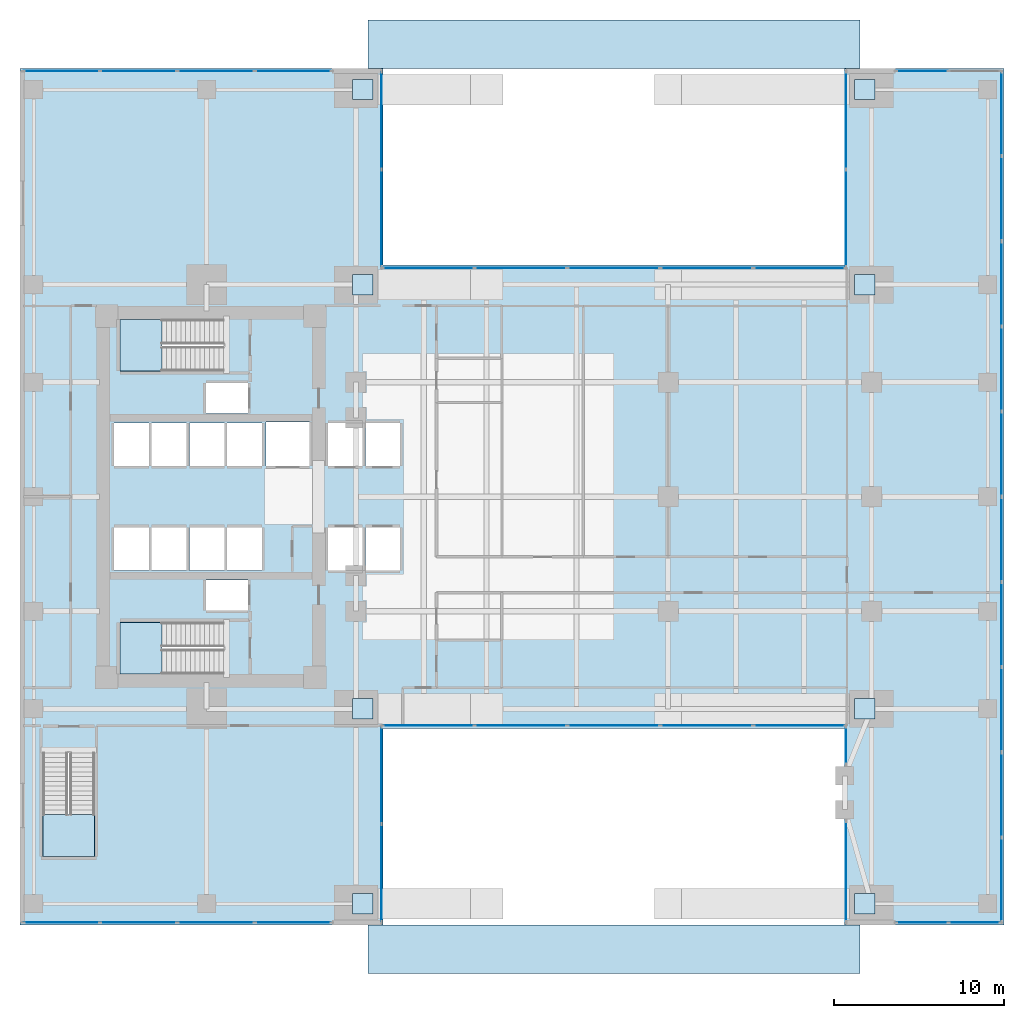
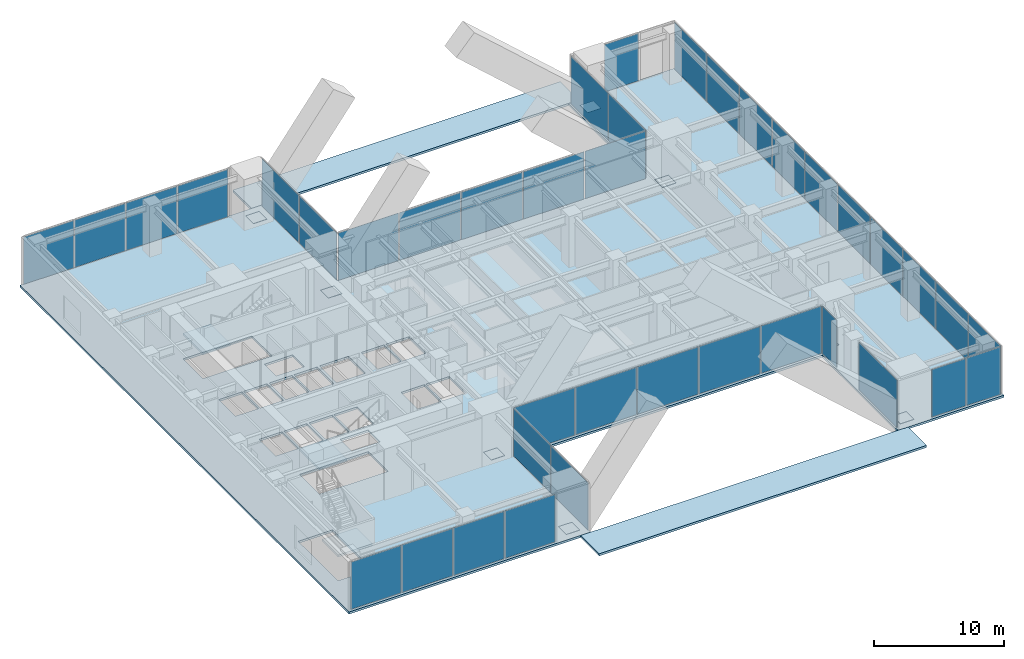
# One storey, part 7 of 13: 47 plates, 6 slabs, 15 elements without a shape of their own.
"""IFC4 building model written with IfcOpenShell, lengths in metres."""

from ifc_helpers import new_model, si_unit, direction, frame, origin, origin_2d, place, context, subcontext, project, spatial, polyline, rectangle, outline, extrude, material, layer, layer_set, type_object, element, aggregate, save


model = new_model("IFC4")

# Units and contexts
model_context = context("Model", 3, precision=1e-05, world=origin(), true_north=direction((0.0, 1.0)))
body_context = subcontext(model_context, "Body", "Model", "MODEL_VIEW")
ifc_project = project(units=[si_unit("LENGTHUNIT", "METRE"), si_unit("AREAUNIT", "SQUARE_METRE"), si_unit("VOLUMEUNIT", "CUBIC_METRE"), si_unit("PLANEANGLEUNIT", "RADIAN"), si_unit("MASSUNIT", "GRAM", prefix="KILO")], contexts=[model_context])

# Site, building, storey
site_placement = place(None, origin())
site = spatial("IfcSite", under=ifc_project, at=site_placement, CompositionType="ELEMENT")
building_placement = place(site_placement, origin())
building = spatial("IfcBuilding", under=site, at=building_placement, Name="Kinhvarn Gate Tower", CompositionType="ELEMENT")
storey_placement = place(building_placement, frame((0.0, 0.0, 6.0)))
storey = spatial("IfcBuildingStorey", under=building, at=storey_placement, Name="L01", CompositionType="ELEMENT", Elevation=6.0)

# Curtain wall, plates
ifc_material_1 = material(Name="Anodised aluminium AW-6063", Category="aluminium")
ifc_layer_1 = layer(ifc_material_1, 0.219970703125)
ifc_layer_set_1 = layer_set([ifc_layer_1], Name="Anodised aluminium AW-6063")
curtain_wall_type = type_object("IfcCurtainWallType", Name="CW-SYS-1", PredefinedType="NOTDEFINED", material=ifc_layer_set_1)
curtain_wall_1_placement = place(storey_placement, origin())
curtain_wall_1 = element("IfcCurtainWall", 1, at=curtain_wall_1_placement, inside=storey, type_object=curtain_wall_type, Name="Curtain Wall CW1 (L01)", PredefinedType="NOTDEFINED")
ifc_material_2 = material(Name="Clear low-e double glazing", Category="glass")
ifc_layer_2 = layer(ifc_material_2, 0.031982421875)
ifc_layer_set_2 = layer_set([ifc_layer_2], Name="Clear low-e double glazing")
plate_type_1 = type_object("IfcPlateType", Name="CW-PNL-VIS", PredefinedType="CURTAIN_PANEL", material=ifc_layer_set_2)
plate_1_placement = place(storey_placement, frame((2.451171875, 0.14990234375, 0.080078125), z_axis=(0.0, 0.0, 1.0), x_axis=(1.0, 0.0, 0.0)))
plate_1 = element("IfcPlate", 2, at=plate_1_placement, type_object=plate_type_1, Name="CW1 panel 1.1", PredefinedType="CURTAIN_PANEL", context=body_context, shape_type="SweptSolid", body=[
    extrude(rectangle(XDim=4.4423828125, YDim=0.031982421875, at=origin_2d()), origin(), (0.0, 0.0, 1.0), 4.43994140625),
])
plate_2_placement = place(storey_placement, frame((6.99365234375, 0.14990234375, 0.080078125), z_axis=(0.0, 0.0, 1.0), x_axis=(1.0, 0.0, 0.0)))
plate_2 = element("IfcPlate", 3, at=plate_2_placement, type_object=plate_type_1, Name="CW1 panel 2.1", PredefinedType="CURTAIN_PANEL", context=body_context, shape_type="SweptSolid", body=[
    extrude(rectangle(XDim=4.482421875, YDim=0.031982421875, at=origin_2d()), origin(), (0.0, 0.0, 1.0), 4.43994140625),
])
plate_3_placement = place(storey_placement, frame((11.55615234375, 0.14990234375, 0.080078125), z_axis=(0.0, 0.0, 1.0), x_axis=(1.0, 0.0, 0.0)))
plate_3 = element("IfcPlate", 4, at=plate_3_placement, type_object=plate_type_1, Name="CW1 panel 3.1", PredefinedType="CURTAIN_PANEL", context=body_context, shape_type="SweptSolid", body=[
    extrude(rectangle(XDim=4.482421875, YDim=0.031982421875, at=origin_2d()), origin(), (0.0, 0.0, 1.0), 4.43994140625),
])
plate_4_placement = place(storey_placement, frame((16.0986328125, 0.14990234375, 0.080078125), z_axis=(0.0, 0.0, 1.0), x_axis=(1.0, 0.0, 0.0)))
plate_4 = element("IfcPlate", 5, at=plate_4_placement, type_object=plate_type_1, Name="CW1 panel 4.1", PredefinedType="CURTAIN_PANEL", context=body_context, shape_type="SweptSolid", body=[
    extrude(rectangle(XDim=4.4423828125, YDim=0.031982421875, at=origin_2d()), origin(), (0.0, 0.0, 1.0), 4.43994140625),
])
aggregate(curtain_wall_1, [plate_1, plate_2, plate_3, plate_4])

curtain_wall_2_placement = place(storey_placement, origin())
curtain_wall_2 = element("IfcCurtainWall", 6, at=curtain_wall_2_placement, inside=storey, type_object=curtain_wall_type, Name="Curtain Wall CW1 (L01)", PredefinedType="NOTDEFINED")
plate_5_placement = place(storey_placement, frame((53.1826171875, 0.14990234375, 0.080078125), z_axis=(0.0, 0.0, 1.0), x_axis=(1.0, 0.0, 0.0)))
plate_5 = element("IfcPlate", 7, at=plate_5_placement, type_object=plate_type_1, Name="CW1 panel 1.1", PredefinedType="CURTAIN_PANEL", context=body_context, shape_type="SweptSolid", body=[
    extrude(rectangle(XDim=3.0048828125, YDim=0.031982421875, at=origin_2d()), origin(), (0.0, 0.0, 1.0), 4.43994140625),
])
plate_6_placement = place(storey_placement, frame((56.267578125, 0.14990234375, 0.080078125), z_axis=(0.0, 0.0, 1.0), x_axis=(1.0, 0.0, 0.0)))
plate_6 = element("IfcPlate", 8, at=plate_6_placement, type_object=plate_type_1, Name="CW1 panel 2.1", PredefinedType="CURTAIN_PANEL", context=body_context, shape_type="SweptSolid", body=[
    extrude(rectangle(XDim=3.0048828125, YDim=0.031982421875, at=origin_2d()), origin(), (0.0, 0.0, 1.0), 4.43994140625),
])
aggregate(curtain_wall_2, [plate_5, plate_6])

curtain_wall_3_placement = place(storey_placement, origin())
curtain_wall_3 = element("IfcCurtainWall", 9, at=curtain_wall_3_placement, inside=storey, type_object=curtain_wall_type, Name="Curtain Wall CW1 (L01)", PredefinedType="NOTDEFINED")
plate_7_placement = place(storey_placement, frame((57.85009765625, 2.679931640625, 0.080078125), z_axis=(0.0, 0.0, 1.0), x_axis=(0.0, 1.0, 0.0)))
plate_7 = element("IfcPlate", 10, at=plate_7_placement, type_object=plate_type_1, Name="CW1 panel 1.1", PredefinedType="CURTAIN_PANEL", context=body_context, shape_type="SweptSolid", body=[
    extrude(rectangle(XDim=4.89990234375, YDim=0.031982421875, at=origin_2d()), origin(), (0.0, 0.0, 1.0), 4.43994140625),
])
plate_8_placement = place(storey_placement, frame((57.85009765625, 7.679931640625, 0.080078125), z_axis=(0.0, 0.0, 1.0), x_axis=(0.0, 1.0, 0.0)))
plate_8 = element("IfcPlate", 11, at=plate_8_placement, type_object=plate_type_1, Name="CW1 panel 2.1", PredefinedType="CURTAIN_PANEL", context=body_context, shape_type="SweptSolid", body=[
    extrude(rectangle(XDim=4.93994140625, YDim=0.031982421875, at=origin_2d()), origin(), (0.0, 0.0, 1.0), 4.43994140625),
])
plate_9_placement = place(storey_placement, frame((57.85009765625, 12.699951171875, 0.080078125), z_axis=(0.0, 0.0, 1.0), x_axis=(0.0, 1.0, 0.0)))
plate_9 = element("IfcPlate", 12, at=plate_9_placement, type_object=plate_type_1, Name="CW1 panel 3.1", PredefinedType="CURTAIN_PANEL", context=body_context, shape_type="SweptSolid", body=[
    extrude(rectangle(XDim=4.93994140625, YDim=0.031982421875, at=origin_2d()), origin(), (0.0, 0.0, 1.0), 4.43994140625),
])
plate_10_placement = place(storey_placement, frame((57.85009765625, 17.719970703125, 0.080078125), z_axis=(0.0, 0.0, 1.0), x_axis=(0.0, 1.0, 0.0)))
plate_10 = element("IfcPlate", 13, at=plate_10_placement, type_object=plate_type_1, Name="CW1 panel 4.1", PredefinedType="CURTAIN_PANEL", context=body_context, shape_type="SweptSolid", body=[
    extrude(rectangle(XDim=4.93994140625, YDim=0.031982421875, at=origin_2d()), origin(), (0.0, 0.0, 1.0), 4.43994140625),
])
plate_11_placement = place(storey_placement, frame((57.85009765625, 22.739990234375, 0.080078125), z_axis=(0.0, 0.0, 1.0), x_axis=(0.0, 1.0, 0.0)))
plate_11 = element("IfcPlate", 14, at=plate_11_placement, type_object=plate_type_1, Name="CW1 panel 5.1", PredefinedType="CURTAIN_PANEL", context=body_context, shape_type="SweptSolid", body=[
    extrude(rectangle(XDim=4.93994140625, YDim=0.031982421875, at=origin_2d()), origin(), (0.0, 0.0, 1.0), 4.43994140625),
])
plate_12_placement = place(storey_placement, frame((57.85009765625, 27.760009765625, 0.080078125), z_axis=(0.0, 0.0, 1.0), x_axis=(0.0, 1.0, 0.0)))
plate_12 = element("IfcPlate", 15, at=plate_12_placement, type_object=plate_type_1, Name="CW1 panel 6.1", PredefinedType="CURTAIN_PANEL", context=body_context, shape_type="SweptSolid", body=[
    extrude(rectangle(XDim=4.93994140625, YDim=0.031982421875, at=origin_2d()), origin(), (0.0, 0.0, 1.0), 4.43994140625),
])
plate_13_placement = place(storey_placement, frame((57.85009765625, 32.780029296875, 0.080078125), z_axis=(0.0, 0.0, 1.0), x_axis=(0.0, 1.0, 0.0)))
plate_13 = element("IfcPlate", 16, at=plate_13_placement, type_object=plate_type_1, Name="CW1 panel 7.1", PredefinedType="CURTAIN_PANEL", context=body_context, shape_type="SweptSolid", body=[
    extrude(rectangle(XDim=4.93994140625, YDim=0.031982421875, at=origin_2d()), origin(), (0.0, 0.0, 1.0), 4.43994140625),
])
plate_14_placement = place(storey_placement, frame((57.85009765625, 37.800048828125, 0.080078125), z_axis=(0.0, 0.0, 1.0), x_axis=(0.0, 1.0, 0.0)))
plate_14 = element("IfcPlate", 17, at=plate_14_placement, type_object=plate_type_1, Name="CW1 panel 8.1", PredefinedType="CURTAIN_PANEL", context=body_context, shape_type="SweptSolid", body=[
    extrude(rectangle(XDim=4.93994140625, YDim=0.031982421875, at=origin_2d()), origin(), (0.0, 0.0, 1.0), 4.43994140625),
])
plate_15_placement = place(storey_placement, frame((57.85009765625, 42.820068359375, 0.080078125), z_axis=(0.0, 0.0, 1.0), x_axis=(0.0, 1.0, 0.0)))
plate_15 = element("IfcPlate", 18, at=plate_15_placement, type_object=plate_type_1, Name="CW1 panel 9.1", PredefinedType="CURTAIN_PANEL", context=body_context, shape_type="SweptSolid", body=[
    extrude(rectangle(XDim=4.93994140625, YDim=0.031982421875, at=origin_2d()), origin(), (0.0, 0.0, 1.0), 4.43994140625),
])
plate_16_placement = place(storey_placement, frame((57.85009765625, 47.820068359375, 0.080078125), z_axis=(0.0, 0.0, 1.0), x_axis=(0.0, 1.0, 0.0)))
plate_16 = element("IfcPlate", 19, at=plate_16_placement, type_object=plate_type_1, Name="CW1 panel 10.1", PredefinedType="CURTAIN_PANEL", context=body_context, shape_type="SweptSolid", body=[
    extrude(rectangle(XDim=4.89990234375, YDim=0.031982421875, at=origin_2d()), origin(), (0.0, 0.0, 1.0), 4.43994140625),
])
aggregate(curtain_wall_3, [plate_7, plate_8, plate_9, plate_10, plate_11, plate_12, plate_13, plate_14, plate_15, plate_16])

# Curtain wall, plate
curtain_wall_4_placement = place(storey_placement, origin())
curtain_wall_4 = element("IfcCurtainWall", 20, at=curtain_wall_4_placement, inside=storey, type_object=curtain_wall_type, Name="Curtain Wall CW1 (L01)", PredefinedType="NOTDEFINED")
plate_17_placement = place(storey_placement, frame((53.1826171875, 50.35009765625, 0.080078125), z_axis=(0.0, 0.0, 1.0), x_axis=(-1.0, 0.0, 0.0)))
plate_17 = element("IfcPlate", 21, at=plate_17_placement, type_object=plate_type_1, Name="CW1 panel 2.1", PredefinedType="CURTAIN_PANEL", context=body_context, shape_type="SweptSolid", body=[
    extrude(rectangle(XDim=3.0048828125, YDim=0.031982421875, at=origin_2d()), origin(), (0.0, 0.0, 1.0), 4.43994140625),
])
aggregate(curtain_wall_4, [plate_17])

# Curtain wall, plates
curtain_wall_5_placement = place(storey_placement, origin())
curtain_wall_5 = element("IfcCurtainWall", 22, at=curtain_wall_5_placement, inside=storey, type_object=curtain_wall_type, Name="Curtain Wall CW1 (L01)", PredefinedType="NOTDEFINED")
plate_18_placement = place(storey_placement, frame((16.0986328125, 50.35009765625, 0.080078125), z_axis=(0.0, 0.0, 1.0), x_axis=(-1.0, 0.0, 0.0)))
plate_18 = element("IfcPlate", 23, at=plate_18_placement, type_object=plate_type_1, Name="CW1 panel 1.1", PredefinedType="CURTAIN_PANEL", context=body_context, shape_type="SweptSolid", body=[
    extrude(rectangle(XDim=4.4423828125, YDim=0.031982421875, at=origin_2d()), origin(), (0.0, 0.0, 1.0), 4.43994140625),
])
plate_19_placement = place(storey_placement, frame((11.55615234375, 50.35009765625, 0.080078125), z_axis=(0.0, 0.0, 1.0), x_axis=(-1.0, 0.0, 0.0)))
plate_19 = element("IfcPlate", 24, at=plate_19_placement, type_object=plate_type_1, Name="CW1 panel 2.1", PredefinedType="CURTAIN_PANEL", context=body_context, shape_type="SweptSolid", body=[
    extrude(rectangle(XDim=4.482421875, YDim=0.031982421875, at=origin_2d()), origin(), (0.0, 0.0, 1.0), 4.43994140625),
])
plate_20_placement = place(storey_placement, frame((6.99365234375, 50.35009765625, 0.080078125), z_axis=(0.0, 0.0, 1.0), x_axis=(-1.0, 0.0, 0.0)))
plate_20 = element("IfcPlate", 25, at=plate_20_placement, type_object=plate_type_1, Name="CW1 panel 3.1", PredefinedType="CURTAIN_PANEL", context=body_context, shape_type="SweptSolid", body=[
    extrude(rectangle(XDim=4.482421875, YDim=0.031982421875, at=origin_2d()), origin(), (0.0, 0.0, 1.0), 4.43994140625),
])
plate_21_placement = place(storey_placement, frame((2.451171875, 50.35009765625, 0.080078125), z_axis=(0.0, 0.0, 1.0), x_axis=(-1.0, 0.0, 0.0)))
plate_21 = element("IfcPlate", 26, at=plate_21_placement, type_object=plate_type_1, Name="CW1 panel 4.1", PredefinedType="CURTAIN_PANEL", context=body_context, shape_type="SweptSolid", body=[
    extrude(rectangle(XDim=4.4423828125, YDim=0.031982421875, at=origin_2d()), origin(), (0.0, 0.0, 1.0), 4.43994140625),
])
aggregate(curtain_wall_5, [plate_18, plate_19, plate_20, plate_21])

curtain_wall_6_placement = place(storey_placement, origin())
curtain_wall_6 = element("IfcCurtainWall", 27, at=curtain_wall_6_placement, inside=storey, type_object=curtain_wall_type, Name="Curtain Wall CW1 (L01)", PredefinedType="NOTDEFINED")
plate_22_placement = place(storey_placement, frame((21.31005859375, 3.072509765625, 0.080078125), z_axis=(0.0, 0.0, 1.0), x_axis=(0.0, 1.0, 0.0)))
plate_22 = element("IfcPlate", 28, at=plate_22_placement, type_object=plate_type_1, Name="CW1 panel 1.1", PredefinedType="CURTAIN_PANEL", context=body_context, shape_type="SweptSolid", body=[
    extrude(rectangle(XDim=5.68505859375, YDim=0.031982421875, at=origin_2d()), origin(), (0.0, 0.0, 1.0), 4.43994140625),
])
plate_23_placement = place(storey_placement, frame((21.31005859375, 8.83740234375, 0.080078125), z_axis=(0.0, 0.0, 1.0), x_axis=(0.0, 1.0, 0.0)))
plate_23 = element("IfcPlate", 29, at=plate_23_placement, type_object=plate_type_1, Name="CW1 panel 2.1", PredefinedType="CURTAIN_PANEL", context=body_context, shape_type="SweptSolid", body=[
    extrude(rectangle(XDim=5.68505859375, YDim=0.031982421875, at=origin_2d()), origin(), (0.0, 0.0, 1.0), 4.43994140625),
])
aggregate(curtain_wall_6, [plate_22, plate_23])

curtain_wall_7_placement = place(storey_placement, origin())
curtain_wall_7 = element("IfcCurtainWall", 30, at=curtain_wall_7_placement, inside=storey, type_object=curtain_wall_type, Name="Curtain Wall CW1 (L01)", PredefinedType="NOTDEFINED")
plate_24_placement = place(storey_placement, frame((24.068115234375, 11.760009765625, 0.080078125), z_axis=(0.0, 0.0, 1.0), x_axis=(1.0, 0.0, 0.0)))
plate_24 = element("IfcPlate", 31, at=plate_24_placement, type_object=plate_type_1, Name="CW1 panel 1.1", PredefinedType="CURTAIN_PANEL", context=body_context, shape_type="SweptSolid", body=[
    extrude(rectangle(XDim=5.35595703125, YDim=0.031982421875, at=origin_2d()), origin(), (0.0, 0.0, 1.0), 4.43994140625),
])
plate_25_placement = place(storey_placement, frame((29.52392578125, 11.760009765625, 0.080078125), z_axis=(0.0, 0.0, 1.0), x_axis=(1.0, 0.0, 0.0)))
plate_25 = element("IfcPlate", 32, at=plate_25_placement, type_object=plate_type_1, Name="CW1 panel 2.1", PredefinedType="CURTAIN_PANEL", context=body_context, shape_type="SweptSolid", body=[
    extrude(rectangle(XDim=5.39599609375, YDim=0.031982421875, at=origin_2d()), origin(), (0.0, 0.0, 1.0), 4.43994140625),
])
plate_26_placement = place(storey_placement, frame((35.0, 11.760009765625, 0.080078125), z_axis=(0.0, 0.0, 1.0), x_axis=(1.0, 0.0, 0.0)))
plate_26 = element("IfcPlate", 33, at=plate_26_placement, type_object=plate_type_1, Name="CW1 panel 3.1", PredefinedType="CURTAIN_PANEL", context=body_context, shape_type="SweptSolid", body=[
    extrude(rectangle(XDim=5.39599609375, YDim=0.031982421875, at=origin_2d()), origin(), (0.0, 0.0, 1.0), 4.43994140625),
])
plate_27_placement = place(storey_placement, frame((40.47607421875, 11.760009765625, 0.080078125), z_axis=(0.0, 0.0, 1.0), x_axis=(1.0, 0.0, 0.0)))
plate_27 = element("IfcPlate", 34, at=plate_27_placement, type_object=plate_type_1, Name="CW1 panel 4.1", PredefinedType="CURTAIN_PANEL", context=body_context, shape_type="SweptSolid", body=[
    extrude(rectangle(XDim=5.39599609375, YDim=0.031982421875, at=origin_2d()), origin(), (0.0, 0.0, 1.0), 4.43994140625),
])
plate_28_placement = place(storey_placement, frame((45.931884765625, 11.760009765625, 0.080078125), z_axis=(0.0, 0.0, 1.0), x_axis=(1.0, 0.0, 0.0)))
plate_28 = element("IfcPlate", 35, at=plate_28_placement, type_object=plate_type_1, Name="CW1 panel 5.1", PredefinedType="CURTAIN_PANEL", context=body_context, shape_type="SweptSolid", body=[
    extrude(rectangle(XDim=5.35595703125, YDim=0.031982421875, at=origin_2d()), origin(), (0.0, 0.0, 1.0), 4.43994140625),
])
aggregate(curtain_wall_7, [plate_24, plate_25, plate_26, plate_27, plate_28])

# Curtain wall, plate
curtain_wall_8_placement = place(storey_placement, origin())
curtain_wall_8 = element("IfcCurtainWall", 36, at=curtain_wall_8_placement, inside=storey, type_object=curtain_wall_type, Name="Curtain Wall CW1 (L01)", PredefinedType="NOTDEFINED")
plate_29_placement = place(storey_placement, frame((48.68994140625, 10.594970703125, 0.080078125), z_axis=(0.0, 0.0, 1.0), x_axis=(0.0, -1.0, 0.0)))
plate_29 = element("IfcPlate", 37, at=plate_29_placement, type_object=plate_type_1, Name="CW1 panel 1.1", PredefinedType="CURTAIN_PANEL", context=body_context, shape_type="SweptSolid", body=[
    extrude(rectangle(XDim=2.169921875, YDim=0.031982421875, at=origin_2d()), origin(), (0.0, 0.0, 1.0), 4.43994140625),
])
aggregate(curtain_wall_8, [plate_29])

curtain_wall_9_placement = place(storey_placement, origin())
curtain_wall_9 = element("IfcCurtainWall", 38, at=curtain_wall_9_placement, inside=storey, type_object=curtain_wall_type, Name="Curtain Wall CW1 (L01)", PredefinedType="NOTDEFINED")
plate_30_placement = place(storey_placement, frame((48.68994140625, 3.159912109375, 0.080078125), z_axis=(0.0, 0.0, 1.0), x_axis=(0.0, -1.0, 0.0)))
plate_30 = element("IfcPlate", 39, at=plate_30_placement, type_object=plate_type_1, Name="CW1 panel 1.1", PredefinedType="CURTAIN_PANEL", context=body_context, shape_type="SweptSolid", body=[
    extrude(rectangle(XDim=5.860107421875, YDim=0.031982421875, at=origin_2d()), origin(), (0.0, 0.0, 1.0), 4.43994140625),
])
aggregate(curtain_wall_9, [plate_30])

# Curtain wall, plates
curtain_wall_10_placement = place(storey_placement, origin())
curtain_wall_10 = element("IfcCurtainWall", 40, at=curtain_wall_10_placement, inside=storey, type_object=curtain_wall_type, Name="Curtain Wall CW1 (L01)", PredefinedType="NOTDEFINED")
plate_31_placement = place(storey_placement, frame((48.68994140625, 47.427490234375, 0.080078125), z_axis=(0.0, 0.0, 1.0), x_axis=(0.0, -1.0, 0.0)))
plate_31 = element("IfcPlate", 41, at=plate_31_placement, type_object=plate_type_1, Name="CW1 panel 1.1", PredefinedType="CURTAIN_PANEL", context=body_context, shape_type="SweptSolid", body=[
    extrude(rectangle(XDim=5.68505859375, YDim=0.031982421875, at=origin_2d()), origin(), (0.0, 0.0, 1.0), 4.43994140625),
])
plate_32_placement = place(storey_placement, frame((48.68994140625, 41.66259765625, 0.080078125), z_axis=(0.0, 0.0, 1.0), x_axis=(0.0, -1.0, 0.0)))
plate_32 = element("IfcPlate", 42, at=plate_32_placement, type_object=plate_type_1, Name="CW1 panel 2.1", PredefinedType="CURTAIN_PANEL", context=body_context, shape_type="SweptSolid", body=[
    extrude(rectangle(XDim=5.68505859375, YDim=0.031982421875, at=origin_2d()), origin(), (0.0, 0.0, 1.0), 4.43994140625),
])
aggregate(curtain_wall_10, [plate_31, plate_32])

curtain_wall_11_placement = place(storey_placement, origin())
curtain_wall_11 = element("IfcCurtainWall", 43, at=curtain_wall_11_placement, inside=storey, type_object=curtain_wall_type, Name="Curtain Wall CW1 (L01)", PredefinedType="NOTDEFINED")
plate_33_placement = place(storey_placement, frame((45.931884765625, 38.739990234375, 0.080078125), z_axis=(0.0, 0.0, 1.0), x_axis=(-1.0, 0.0, 0.0)))
plate_33 = element("IfcPlate", 44, at=plate_33_placement, type_object=plate_type_1, Name="CW1 panel 1.1", PredefinedType="CURTAIN_PANEL", context=body_context, shape_type="SweptSolid", body=[
    extrude(rectangle(XDim=5.35595703125, YDim=0.031982421875, at=origin_2d()), origin(), (0.0, 0.0, 1.0), 4.43994140625),
])
plate_34_placement = place(storey_placement, frame((40.47607421875, 38.739990234375, 0.080078125), z_axis=(0.0, 0.0, 1.0), x_axis=(-1.0, 0.0, 0.0)))
plate_34 = element("IfcPlate", 45, at=plate_34_placement, type_object=plate_type_1, Name="CW1 panel 2.1", PredefinedType="CURTAIN_PANEL", context=body_context, shape_type="SweptSolid", body=[
    extrude(rectangle(XDim=5.39599609375, YDim=0.031982421875, at=origin_2d()), origin(), (0.0, 0.0, 1.0), 4.43994140625),
])
plate_35_placement = place(storey_placement, frame((35.0, 38.739990234375, 0.080078125), z_axis=(0.0, 0.0, 1.0), x_axis=(-1.0, 0.0, 0.0)))
plate_35 = element("IfcPlate", 46, at=plate_35_placement, type_object=plate_type_1, Name="CW1 panel 3.1", PredefinedType="CURTAIN_PANEL", context=body_context, shape_type="SweptSolid", body=[
    extrude(rectangle(XDim=5.39599609375, YDim=0.031982421875, at=origin_2d()), origin(), (0.0, 0.0, 1.0), 4.43994140625),
])
plate_36_placement = place(storey_placement, frame((29.52392578125, 38.739990234375, 0.080078125), z_axis=(0.0, 0.0, 1.0), x_axis=(-1.0, 0.0, 0.0)))
plate_36 = element("IfcPlate", 47, at=plate_36_placement, type_object=plate_type_1, Name="CW1 panel 4.1", PredefinedType="CURTAIN_PANEL", context=body_context, shape_type="SweptSolid", body=[
    extrude(rectangle(XDim=5.39599609375, YDim=0.031982421875, at=origin_2d()), origin(), (0.0, 0.0, 1.0), 4.43994140625),
])
plate_37_placement = place(storey_placement, frame((24.068115234375, 38.739990234375, 0.080078125), z_axis=(0.0, 0.0, 1.0), x_axis=(-1.0, 0.0, 0.0)))
plate_37 = element("IfcPlate", 48, at=plate_37_placement, type_object=plate_type_1, Name="CW1 panel 5.1", PredefinedType="CURTAIN_PANEL", context=body_context, shape_type="SweptSolid", body=[
    extrude(rectangle(XDim=5.35595703125, YDim=0.031982421875, at=origin_2d()), origin(), (0.0, 0.0, 1.0), 4.43994140625),
])
aggregate(curtain_wall_11, [plate_33, plate_34, plate_35, plate_36, plate_37])

curtain_wall_12_placement = place(storey_placement, origin())
curtain_wall_12 = element("IfcCurtainWall", 49, at=curtain_wall_12_placement, inside=storey, type_object=curtain_wall_type, Name="Curtain Wall CW1 (L01)", PredefinedType="NOTDEFINED")
plate_38_placement = place(storey_placement, frame((21.31005859375, 41.66259765625, 0.080078125), z_axis=(0.0, 0.0, 1.0), x_axis=(0.0, 1.0, 0.0)))
plate_38 = element("IfcPlate", 50, at=plate_38_placement, type_object=plate_type_1, Name="CW1 panel 1.1", PredefinedType="CURTAIN_PANEL", context=body_context, shape_type="SweptSolid", body=[
    extrude(rectangle(XDim=5.68505859375, YDim=0.031982421875, at=origin_2d()), origin(), (0.0, 0.0, 1.0), 4.43994140625),
])
plate_39_placement = place(storey_placement, frame((21.31005859375, 47.427490234375, 0.080078125), z_axis=(0.0, 0.0, 1.0), x_axis=(0.0, 1.0, 0.0)))
plate_39 = element("IfcPlate", 51, at=plate_39_placement, type_object=plate_type_1, Name="CW1 panel 2.1", PredefinedType="CURTAIN_PANEL", context=body_context, shape_type="SweptSolid", body=[
    extrude(rectangle(XDim=5.68505859375, YDim=0.031982421875, at=origin_2d()), origin(), (0.0, 0.0, 1.0), 4.43994140625),
])
aggregate(curtain_wall_12, [plate_38, plate_39])

# Plates
ifc_material_3 = material(Name="Steel S355", Category="steel")
ifc_layer_3 = layer(ifc_material_3, 0.02392578125)
ifc_layer_set_3 = layer_set([ifc_layer_3], Name="Steel S355")
plate_type_2 = type_object("IfcPlateType", Name="PLT-NODE-AN1", PredefinedType="USERDEFINED", material=ifc_layer_set_3)
plate_40_placement = place(storey_placement, frame((0.0, 0.0, -0.011962890625)))
element("IfcPlate", 52, at=plate_40_placement, inside=storey, type_object=plate_type_2, Name="Structural Node Cap Plate AN1", ObjectType="GUSSET_PLATE", PredefinedType="USERDEFINED", context=body_context, shape_type="SweptSolid", body=[
    extrude(outline(polyline([(19.60009765625, 0.64990234375), (20.800048828125, 0.64990234375), (20.800048828125, 1.85009765625), (19.60009765625, 1.85009765625), (19.60009765625, 0.64990234375)])), origin(), (0.0, 0.0, 1.0), 0.02392578125),
])
plate_41_placement = place(storey_placement, frame((0.0, 0.0, -0.011962890625)))
element("IfcPlate", 53, at=plate_41_placement, inside=storey, type_object=plate_type_2, Name="Structural Node Cap Plate AN1", ObjectType="GUSSET_PLATE", PredefinedType="USERDEFINED", context=body_context, shape_type="SweptSolid", body=[
    extrude(outline(polyline([(19.60009765625, 12.14990234375), (20.800048828125, 12.14990234375), (20.800048828125, 13.35009765625), (19.60009765625, 13.35009765625), (19.60009765625, 12.14990234375)])), origin(), (0.0, 0.0, 1.0), 0.02392578125),
])
plate_42_placement = place(storey_placement, frame((0.0, 0.0, -0.011962890625)))
element("IfcPlate", 54, at=plate_42_placement, inside=storey, type_object=plate_type_2, Name="Structural Node Cap Plate AN1", ObjectType="GUSSET_PLATE", PredefinedType="USERDEFINED", context=body_context, shape_type="SweptSolid", body=[
    extrude(outline(polyline([(19.60009765625, 37.14990234375), (20.800048828125, 37.14990234375), (20.800048828125, 38.35009765625), (19.60009765625, 38.35009765625), (19.60009765625, 37.14990234375)])), origin(), (0.0, 0.0, 1.0), 0.02392578125),
])
plate_43_placement = place(storey_placement, frame((0.0, 0.0, -0.011962890625)))
element("IfcPlate", 55, at=plate_43_placement, inside=storey, type_object=plate_type_2, Name="Structural Node Cap Plate AN1", ObjectType="GUSSET_PLATE", PredefinedType="USERDEFINED", context=body_context, shape_type="SweptSolid", body=[
    extrude(outline(polyline([(19.60009765625, 48.64990234375), (20.800048828125, 48.64990234375), (20.800048828125, 49.85009765625), (19.60009765625, 49.85009765625), (19.60009765625, 48.64990234375)])), origin(), (0.0, 0.0, 1.0), 0.02392578125),
])
ifc_layer_4 = layer(ifc_material_3, 0.030029296875)
ifc_layer_set_4 = layer_set([ifc_layer_4], Name="Steel S355")
plate_type_3 = type_object("IfcPlateType", Name="PLT-NODE-AN4", PredefinedType="USERDEFINED", material=ifc_layer_set_4)
plate_44_placement = place(storey_placement, frame((0.0, 0.0, -0.014892578125)))
element("IfcPlate", 56, at=plate_44_placement, inside=storey, type_object=plate_type_3, Name="Structural Node Cap Plate AN4", ObjectType="GUSSET_PLATE", PredefinedType="USERDEFINED", context=body_context, shape_type="SweptSolid", body=[
    extrude(outline(polyline([(49.199951171875, 0.64990234375), (50.39990234375, 0.64990234375), (50.39990234375, 1.85009765625), (49.199951171875, 1.85009765625), (49.199951171875, 0.64990234375)])), origin(), (0.0, 0.0, 1.0), 0.02978515625),
])
plate_45_placement = place(storey_placement, frame((0.0, 0.0, -0.014892578125)))
element("IfcPlate", 57, at=plate_45_placement, inside=storey, type_object=plate_type_3, Name="Structural Node Cap Plate AN4", ObjectType="GUSSET_PLATE", PredefinedType="USERDEFINED", context=body_context, shape_type="SweptSolid", body=[
    extrude(outline(polyline([(49.199951171875, 12.14990234375), (50.39990234375, 12.14990234375), (50.39990234375, 13.35009765625), (49.199951171875, 13.35009765625), (49.199951171875, 12.14990234375)])), origin(), (0.0, 0.0, 1.0), 0.02978515625),
])
plate_46_placement = place(storey_placement, frame((0.0, 0.0, -0.014892578125)))
element("IfcPlate", 58, at=plate_46_placement, inside=storey, type_object=plate_type_3, Name="Structural Node Cap Plate AN4", ObjectType="GUSSET_PLATE", PredefinedType="USERDEFINED", context=body_context, shape_type="SweptSolid", body=[
    extrude(outline(polyline([(49.199951171875, 37.14990234375), (50.39990234375, 37.14990234375), (50.39990234375, 38.35009765625), (49.199951171875, 38.35009765625), (49.199951171875, 37.14990234375)])), origin(), (0.0, 0.0, 1.0), 0.02978515625),
])
plate_47_placement = place(storey_placement, frame((0.0, 0.0, -0.014892578125)))
element("IfcPlate", 59, at=plate_47_placement, inside=storey, type_object=plate_type_3, Name="Structural Node Cap Plate AN4", ObjectType="GUSSET_PLATE", PredefinedType="USERDEFINED", context=body_context, shape_type="SweptSolid", body=[
    extrude(outline(polyline([(49.199951171875, 48.64990234375), (50.39990234375, 48.64990234375), (50.39990234375, 49.85009765625), (49.199951171875, 49.85009765625), (49.199951171875, 48.64990234375)])), origin(), (0.0, 0.0, 1.0), 0.02978515625),
])

# Slabs
ifc_material_4 = material(Name="Precast white architectural concrete C40/50", Category="concrete")
ifc_layer_5 = layer(ifc_material_4, 0.199951171875)
ifc_layer_set_5 = layer_set([ifc_layer_5], Name="Precast white architectural concrete C40/50")
slab_type_1 = type_object("IfcSlabType", Name="SLB-CAN-200", PredefinedType="ROOF", material=ifc_layer_set_5)
slab_1_placement = place(storey_placement, frame((0.0, 0.0, -0.199951171875)))
element("IfcSlab", 60, at=slab_1_placement, inside=storey, type_object=slab_type_1, Name="Portal Arch Entrance Portico Canopy Slab S", PredefinedType="ROOF", context=body_context, shape_type="SweptSolid", body=[
    extrude(outline(polyline([(20.5, -2.85009765625), (49.5, -2.85009765625), (49.5, 0.0), (20.5, 0.0), (20.5, -2.85009765625)])), origin(), (0.0, 0.0, 1.0), 0.199951171875),
])
slab_2_placement = place(storey_placement, frame((0.0, 0.0, -0.199951171875)))
element("IfcSlab", 61, at=slab_2_placement, inside=storey, type_object=slab_type_1, Name="Portal Arch Entrance Portico Canopy Slab N", PredefinedType="ROOF", context=body_context, shape_type="SweptSolid", body=[
    extrude(outline(polyline([(20.5, 50.5), (49.5, 50.5), (49.5, 53.35009765625), (20.5, 53.35009765625), (20.5, 50.5)])), origin(), (0.0, 0.0, 1.0), 0.199951171875),
])
ifc_material_5 = material(Name="Concrete C40/50", Category="concrete")
ifc_layer_6 = layer(ifc_material_5, 0.199951171875)
ifc_layer_set_6 = layer_set([ifc_layer_6], Name="Concrete C40/50")
slab_type_2 = type_object("IfcSlabType", Name="SLB-FLR-200", PredefinedType="FLOOR", material=ifc_layer_set_6)
slab_3_placement = place(storey_placement, frame((0.0, 0.0, -0.199951171875)))
element("IfcSlab", 62, at=slab_3_placement, inside=storey, type_object=slab_type_2, Name="Suspended Floor Slab L01", PredefinedType="FLOOR", context=body_context, shape_type="SweptSolid", body=[
    extrude(outline(polyline([(0.0, 0.0), (0.0, 50.5), (21.39990234375, 50.5), (21.39990234375, 38.89990234375), (48.60009765625, 38.89990234375), (48.60009765625, 50.5), (58.0, 50.5), (58.0, 0.0), (48.60009765625, 0.0), (48.60009765625, 11.60009765625), (21.39990234375, 11.60009765625), (21.39990234375, 0.0), (0.0, 0.0)]), holes=[polyline([(5.89990234375, 14.800048828125), (12.0, 14.800048828125), (12.0, 17.85009765625), (5.89990234375, 17.85009765625), (5.89990234375, 14.800048828125)]), polyline([(5.89990234375, 32.64990234375), (12.0, 32.64990234375), (12.0, 35.699951171875), (5.89990234375, 35.699951171875), (5.89990234375, 32.64990234375)]), polyline([(1.35009765625, 4.050048828125), (4.39990234375, 4.050048828125), (4.39990234375, 10.14990234375), (1.35009765625, 10.14990234375), (1.35009765625, 4.050048828125)]), polyline([(18.14990234375, 20.89990234375), (20.199951171875, 20.89990234375), (20.199951171875, 23.449951171875), (18.14990234375, 23.449951171875), (18.14990234375, 20.89990234375)]), polyline([(20.35009765625, 20.89990234375), (22.39990234375, 20.89990234375), (22.39990234375, 23.449951171875), (20.35009765625, 23.449951171875), (20.35009765625, 20.89990234375)]), polyline([(18.14990234375, 27.050048828125), (20.199951171875, 27.050048828125), (20.199951171875, 29.60009765625), (18.14990234375, 29.60009765625), (18.14990234375, 27.050048828125)]), polyline([(20.35009765625, 27.050048828125), (22.39990234375, 27.050048828125), (22.39990234375, 29.60009765625), (20.35009765625, 29.60009765625), (20.35009765625, 27.050048828125)]), polyline([(5.550048828125, 20.89990234375), (7.60009765625, 20.89990234375), (7.60009765625, 23.449951171875), (5.550048828125, 23.449951171875), (5.550048828125, 20.89990234375)]), polyline([(7.75, 20.89990234375), (9.800048828125, 20.89990234375), (9.800048828125, 23.449951171875), (7.75, 23.449951171875), (7.75, 20.89990234375)]), polyline([(5.550048828125, 27.050048828125), (7.60009765625, 27.050048828125), (7.60009765625, 29.60009765625), (5.550048828125, 29.60009765625), (5.550048828125, 27.050048828125)]), polyline([(7.75, 27.050048828125), (9.800048828125, 27.050048828125), (9.800048828125, 29.60009765625), (7.75, 29.60009765625), (7.75, 27.050048828125)]), polyline([(10.0, 20.89990234375), (12.050048828125, 20.89990234375), (12.050048828125, 23.449951171875), (10.0, 23.449951171875), (10.0, 20.89990234375)]), polyline([(12.199951171875, 20.89990234375), (14.25, 20.89990234375), (14.25, 23.449951171875), (12.199951171875, 23.449951171875), (12.199951171875, 20.89990234375)]), polyline([(10.0, 27.050048828125), (12.050048828125, 27.050048828125), (12.050048828125, 29.60009765625), (10.0, 29.60009765625), (10.0, 27.050048828125)]), polyline([(12.199951171875, 27.050048828125), (14.25, 27.050048828125), (14.25, 29.60009765625), (12.199951171875, 29.60009765625), (12.199951171875, 27.050048828125)]), polyline([(14.5, 27.050048828125), (17.050048828125, 27.050048828125), (17.050048828125, 29.64990234375), (14.5, 29.64990234375), (14.5, 27.050048828125)]), polyline([(10.949951171875, 18.550048828125), (13.449951171875, 18.550048828125), (13.449951171875, 20.35009765625), (10.949951171875, 20.35009765625), (10.949951171875, 18.550048828125)]), polyline([(10.949951171875, 30.14990234375), (13.449951171875, 30.14990234375), (13.449951171875, 31.949951171875), (10.949951171875, 31.949951171875), (10.949951171875, 30.14990234375)])]), origin(), (0.0, 0.0, 1.0), 0.199951171875),
])

# Stair, slab
stair_type = type_object("IfcStairType", Name="STR-DLG-171", PredefinedType="HALF_TURN_STAIR", material=ifc_material_5)
stair_1_placement = place(storey_placement, origin())
stair_1 = element("IfcStair", 63, at=stair_1_placement, inside=storey, type_object=stair_type, Name="L01 Core Smokeproof Exit Stair ST1", PredefinedType="HALF_TURN_STAIR")
ifc_layer_7 = layer(ifc_material_5, 0.199951171875)
ifc_layer_set_7 = layer_set([ifc_layer_7], Name="Concrete C40/50")
slab_type_3 = type_object("IfcSlabType", Name="SLB-ST-LND", PredefinedType="LANDING", material=ifc_layer_set_7)
slab_4_placement = place(storey_placement, frame((0.0, 0.0, 2.199951171875)))
slab_4 = element("IfcSlab", 64, at=slab_4_placement, type_object=slab_type_3, Name="ST1 landing 1", PredefinedType="LANDING", context=body_context, shape_type="SweptSolid", body=[
    extrude(outline(polyline([(8.360107421875, 17.85009765625), (5.89990234375, 17.85009765625), (5.89990234375, 14.800048828125), (8.360107421875, 14.800048828125), (8.360107421875, 17.85009765625)])), origin(), (0.0, 0.0, 1.0), 0.199951171875),
])
aggregate(stair_1, [slab_4])

stair_2_placement = place(storey_placement, origin())
stair_2 = element("IfcStair", 65, at=stair_2_placement, inside=storey, type_object=stair_type, Name="L01 Core Smokeproof Exit Stair ST2", PredefinedType="HALF_TURN_STAIR")
slab_5_placement = place(storey_placement, frame((0.0, 0.0, 2.199951171875)))
slab_5 = element("IfcSlab", 66, at=slab_5_placement, type_object=slab_type_3, Name="ST2 landing 1", PredefinedType="LANDING", context=body_context, shape_type="SweptSolid", body=[
    extrude(outline(polyline([(8.360107421875, 35.699951171875), (5.89990234375, 35.699951171875), (5.89990234375, 32.64990234375), (8.360107421875, 32.64990234375), (8.360107421875, 35.699951171875)])), origin(), (0.0, 0.0, 1.0), 0.199951171875),
])
aggregate(stair_2, [slab_5])

stair_3_placement = place(storey_placement, origin())
stair_3 = element("IfcStair", 67, at=stair_3_placement, inside=storey, type_object=stair_type, Name="L01 Podium & Basement Protected Exit Stair ST3", PredefinedType="HALF_TURN_STAIR")
slab_6_placement = place(storey_placement, frame((0.0, 0.0, 2.199951171875)))
slab_6 = element("IfcSlab", 68, at=slab_6_placement, type_object=slab_type_3, Name="ST3 landing 1", PredefinedType="LANDING", context=body_context, shape_type="SweptSolid", body=[
    extrude(outline(polyline([(1.35009765625, 6.510009765625), (1.35009765625, 4.050048828125), (4.39990234375, 4.050048828125), (4.39990234375, 6.510009765625), (1.35009765625, 6.510009765625)])), origin(), (0.0, 0.0, 1.0), 0.199951171875),
])
aggregate(stair_3, [slab_6])

save(model, "model.ifc")
